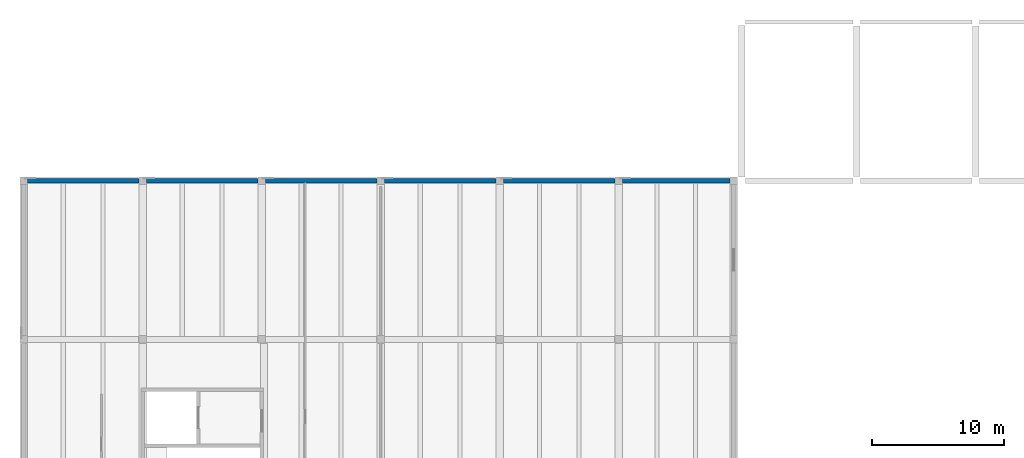
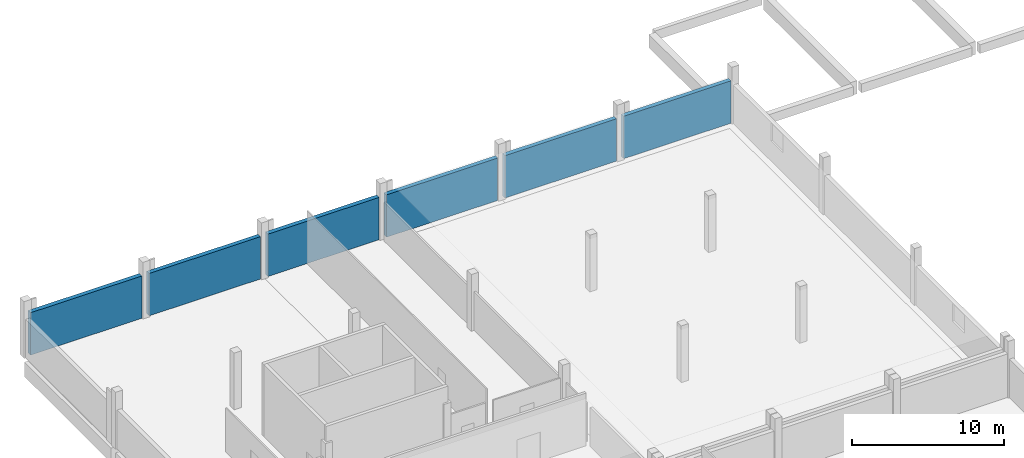
# One storey, part 17 of 25: 6 walls.
"""IFC4 building model written with IfcOpenShell, lengths in metres."""

from ifc_helpers import new_model, si_unit, direction, frame, frame_2d, origin, place, context, subcontext, project, spatial, rectangle, extrude, material, layer, layer_set, type_object, element, save


model = new_model("IFC4")

# Units and contexts
model_context = context("Model", 3, precision=1e-05, world=origin(), true_north=direction((0.0, 1.0)))
body_context = subcontext(model_context, "Body", "Model", "MODEL_VIEW")
ifc_project = project(units=[si_unit("LENGTHUNIT", "METRE"), si_unit("AREAUNIT", "SQUARE_METRE"), si_unit("VOLUMEUNIT", "CUBIC_METRE"), si_unit("PLANEANGLEUNIT", "RADIAN"), si_unit("MASSUNIT", "GRAM", prefix="KILO")], contexts=[model_context])

# Site, building, storey
site_placement = place(None, origin())
site = spatial("IfcSite", under=ifc_project, at=site_placement, CompositionType="ELEMENT")
building_placement = place(site_placement, origin())
building = spatial("IfcBuilding", under=site, at=building_placement, Name="Zacnel Wholesale Market", CompositionType="ELEMENT")
storey_placement = place(building_placement, frame((0.0, 0.0, 15.75)))
storey = spatial("IfcBuildingStorey", under=building, at=storey_placement, Name="L04", CompositionType="ELEMENT", Elevation=15.75)

# Walls
ifc_material = material(Name="Precast concrete C40/50 (insulated sandwich panel)", Category="concrete")
ifc_layer = layer(ifc_material, 0.320068359375)
ifc_layer_set = layer_set([ifc_layer], Name="Precast concrete C40/50 (insulated sandwich panel)")
wall_type = type_object("IfcWallType", Name="WL-EXT-COLD-320", PredefinedType="SOLIDWALL", material=ifc_layer_set)
for number, where, z_axis, x_axis, name in (
    (1, (18.27490234375, 132.0, 0.0), (0.0, 0.0, 1.0), (1.0, 0.0, 0.0), "Exterior wall L04-0461"),
    (2, (27.27490234375, 132.0, 0.0), (0.0, 0.0, 1.0), (1.0, 0.0, 0.0), "Exterior wall L04-0462"),
    (3, (36.27490234375, 132.0, 0.0), (0.0, 0.0, 1.0), (1.0, 0.0, 0.0), "Exterior wall L04-0463"),
    (4, (45.27490234375, 132.0, 0.0), (0.0, 0.0, 1.0), (1.0, 0.0, 0.0), "Exterior wall L04-0464"),
    (5, (54.27490234375, 132.0, 0.0), (0.0, 0.0, 1.0), (1.0, 0.0, 0.0), "Exterior wall L04-0465"),
):
    element("IfcWall", number, at=place(storey_placement, frame(where, z_axis=z_axis, x_axis=x_axis)), inside=storey, type_object=wall_type, Name=name, PredefinedType="SOLIDWALL", context=body_context, shape_type="SweptSolid", body=[
        extrude(rectangle(XDim=8.4501953125, YDim=0.320068359375, at=frame_2d((4.22509765625, 0.0))), origin(), (0.0, 0.0, 1.0), 3.39990234375),
    ])
wall_placement = place(storey_placement, frame((63.27490234375, 132.0, 0.0), z_axis=(0.0, 0.0, 1.0), x_axis=(1.0, 0.0, 0.0)))
element("IfcWall", 6, at=wall_placement, inside=storey, type_object=wall_type, Name="Exterior wall L04-0466", PredefinedType="SOLIDWALL", context=body_context, shape_type="SweptSolid", body=[
    extrude(rectangle(XDim=8.150146484375, YDim=0.320068359375, at=frame_2d((4.0751953125, 0.0))), origin(), (0.0, 0.0, 1.0), 3.39990234375),
])

save(model, "model.ifc")
